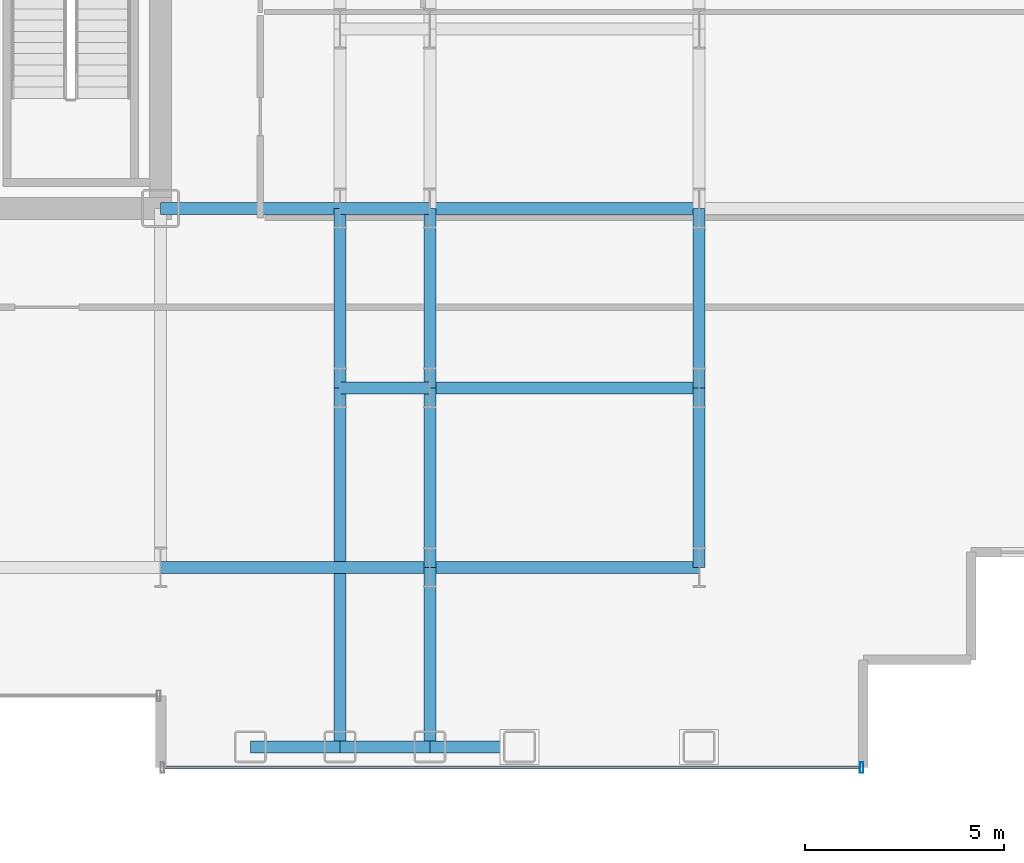
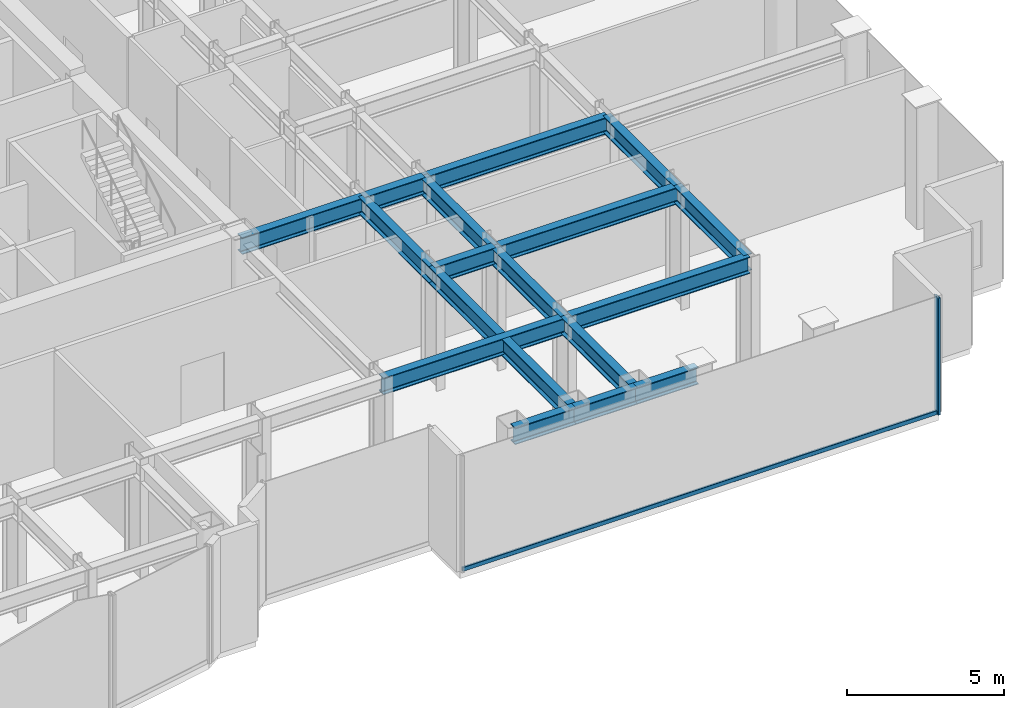
# One storey, part 7 of 27: 17 beams, 2 members, 1 element without a shape of its own.
"""IFC4 building model written with IfcOpenShell, lengths in metres."""

from ifc_helpers import new_model, si_unit, direction, frame, origin, origin_2d, place, context, subcontext, project, spatial, hollow_rectangle, i_section, extrude, source, transform, mapped, material, layer, layer_set, material_profile, profile_set, type_object, element, aggregate, save


model = new_model("IFC4")

# Units and contexts
model_context = context("Model", 3, precision=1e-05, world=origin(), true_north=direction((0.0, 1.0)))
body_context = subcontext(model_context, "Body", "Model", "MODEL_VIEW")
ifc_project = project(units=[si_unit("LENGTHUNIT", "METRE"), si_unit("AREAUNIT", "SQUARE_METRE"), si_unit("VOLUMEUNIT", "CUBIC_METRE"), si_unit("PLANEANGLEUNIT", "RADIAN"), si_unit("MASSUNIT", "GRAM", prefix="KILO")], contexts=[model_context])

# Site, building, storey
site_placement = place(None, origin())
site = spatial("IfcSite", under=ifc_project, at=site_placement, CompositionType="ELEMENT")
building_placement = place(site_placement, origin())
building = spatial("IfcBuilding", under=site, at=building_placement, Name="Nefas-Gora Pilgrimage Tower", CompositionType="ELEMENT")
storey_placement = place(building_placement, frame((0.0, 0.0, 144.0)))
storey = spatial("IfcBuildingStorey", under=building, at=storey_placement, Name="L35", CompositionType="ELEMENT", Elevation=144.0)

# Beams
ifc_material_1 = material(Name="Steel S355", Category="steel")
ifc_material_profile_1 = material_profile(ifc_material_1, i_section(OverallWidth=0.300048828125, OverallDepth=0.64990234375, WebThickness=0.01611328125, FlangeThickness=0.031005859375, FilletRadius=0.027099609375, at=origin_2d()), Name="HEB 650")
ifc_profile_set_1 = profile_set([ifc_material_profile_1], Name="Steel S355")
beam_type_1 = type_object("IfcBeamType", Name="BM-GIR-HEB650", PredefinedType="BEAM", material=ifc_profile_set_1)
shared_shape_1 = source(origin(), body_context, "Body", "SweptSolid", [
    extrude(i_section(OverallWidth=0.300048828125, OverallDepth=0.64990234375, WebThickness=0.01611328125, FlangeThickness=0.031005859375, FilletRadius=0.027099609375, at=origin_2d()), origin(), (0.0, 0.0, 1.0), 9.0),
])
beam_placement = place(storey_placement, frame((15.75, -22.5, 4.22509765625), z_axis=(0.0, 1.0, 0.0), x_axis=(-1.0, 0.0, 0.0)))
element("IfcBeam", 1, at=beam_placement, inside=storey, type_object=beam_type_1, Name="L35 G-03 beam", PredefinedType="BEAM", context=body_context, shape_type="MappedRepresentation", body=[
    mapped(shared_shape_1, transform((0.0, 0.0, 0.0), x_axis=(1.0, 0.0, 0.0), y_axis=(0.0, 1.0, 0.0), z_axis=(0.0, 0.0, 1.0), scale=1.0)),
])
shared_shape_2 = source(origin(), body_context, "Body", "SweptSolid", [
    extrude(i_section(OverallWidth=0.300048828125, OverallDepth=0.64990234375, WebThickness=0.01611328125, FlangeThickness=0.031005859375, FilletRadius=0.027099609375, at=origin_2d()), origin(), (0.0, 0.0, 1.0), 4.5),
])
for number, where, z_axis, x_axis, name in (
    (2, (11.25, -9.0, 4.22509765625), (1.0, 0.0, 0.0), (0.0, 1.0, 0.0), "L35 G-03 beam"),
    (3, (15.75, -13.5, 4.22509765625), (0.0, 1.0, 0.0), (-1.0, 0.0, 0.0), "L35 G-03 beam"),
    (4, (18.0, -22.5, 4.22509765625), (0.0, 1.0, 0.0), (-1.0, 0.0, 0.0), "L35 G-03 beam"),
    (5, (18.0, -18.0, 4.22509765625), (0.0, 1.0, 0.0), (-1.0, 0.0, 0.0), "L35 G-03 beam"),
    (6, (18.0, -13.5, 4.22509765625), (0.0, 1.0, 0.0), (-1.0, 0.0, 0.0), "L35 G-03 beam"),
    (7, (24.75, -18.0, 4.22509765625), (0.0, 1.0, 0.0), (-1.0, 0.0, 0.0), "L35 G-03 beam"),
    (8, (24.75, -13.5, 4.22509765625), (0.0, 1.0, 0.0), (-1.0, 0.0, 0.0), "L35 G-03 beam"),
):
    element("IfcBeam", number, at=place(storey_placement, frame(where, z_axis=z_axis, x_axis=x_axis)), inside=storey, type_object=beam_type_1, Name=name, PredefinedType="BEAM", context=body_context, shape_type="MappedRepresentation", body=[
        mapped(shared_shape_2, transform((0.0, 0.0, 0.0), x_axis=(1.0, 0.0, 0.0), y_axis=(0.0, 1.0, 0.0), z_axis=(0.0, 0.0, 1.0), scale=1.0)),
    ])
shared_shape_3 = source(origin(), body_context, "Body", "SweptSolid", [
    extrude(i_section(OverallWidth=0.300048828125, OverallDepth=0.64990234375, WebThickness=0.01611328125, FlangeThickness=0.031005859375, FilletRadius=0.027099609375, at=origin_2d()), origin(), (0.0, 0.0, 1.0), 6.75),
])
for number, where, z_axis, x_axis, name in (
    (9, (11.25, -18.0, 4.22509765625), (1.0, 0.0, 0.0), (0.0, 1.0, 0.0), "L35 G-03 beam"),
    (10, (18.0, -18.0, 4.22509765625), (1.0, 0.0, 0.0), (0.0, 1.0, 0.0), "L35 G-03 beam"),
    (11, (18.0, -13.5, 4.22509765625), (1.0, 0.0, 0.0), (0.0, 1.0, 0.0), "L35 G-03 beam"),
    (12, (18.0, -9.0, 4.22509765625), (1.0, 0.0, 0.0), (0.0, 1.0, 0.0), "L35 G-03 beam"),
):
    element("IfcBeam", number, at=place(storey_placement, frame(where, z_axis=z_axis, x_axis=x_axis)), inside=storey, type_object=beam_type_1, Name=name, PredefinedType="BEAM", context=body_context, shape_type="MappedRepresentation", body=[
        mapped(shared_shape_3, transform((0.0, 0.0, 0.0), x_axis=(1.0, 0.0, 0.0), y_axis=(0.0, 1.0, 0.0), z_axis=(0.0, 0.0, 1.0), scale=1.0)),
    ])
ifc_material_profile_2 = material_profile(ifc_material_1, i_section(OverallWidth=0.300048828125, OverallDepth=0.64990234375, WebThickness=0.01611328125, FlangeThickness=0.031005859375, FilletRadius=0.027099609375, at=origin_2d()), Name="HEB 650")
ifc_profile_set_2 = profile_set([ifc_material_profile_2], Name="Steel S355")
beam_type_2 = type_object("IfcBeamType", Name="BM-SPN-HEB500", PredefinedType="SPANDREL", material=ifc_profile_set_2)
shared_shape_4 = source(origin(), body_context, "Body", "SweptSolid", [
    extrude(i_section(OverallWidth=0.300048828125, OverallDepth=0.64990234375, WebThickness=0.01611328125, FlangeThickness=0.031005859375, FilletRadius=0.027099609375, at=origin_2d()), origin(), (0.0, 0.0, 1.0), 2.25),
])
for number, where, z_axis, x_axis, name in (
    (13, (13.5, -22.5, 4.22509765625), (1.0, 0.0, 0.0), (0.0, 1.0, 0.0), "L35 SP-02 beam"),
    (14, (15.75, -22.5, 4.22509765625), (1.0, 0.0, 0.0), (0.0, 1.0, 0.0), "L35 SP-02 beam"),
    (15, (18.0, -22.5, 4.22509765625), (1.0, 0.0, 0.0), (0.0, 1.0, 0.0), "L35 SP-02 beam"),
):
    element("IfcBeam", number, at=place(storey_placement, frame(where, z_axis=z_axis, x_axis=x_axis)), inside=storey, type_object=beam_type_2, Name=name, PredefinedType="SPANDREL", context=body_context, shape_type="MappedRepresentation", body=[
        mapped(shared_shape_4, transform((0.0, 0.0, 0.0), x_axis=(1.0, 0.0, 0.0), y_axis=(0.0, 1.0, 0.0), z_axis=(0.0, 0.0, 1.0), scale=1.0)),
    ])
shared_shape_5 = source(origin(), body_context, "Body", "SweptSolid", [
    extrude(i_section(OverallWidth=0.300048828125, OverallDepth=0.64990234375, WebThickness=0.01611328125, FlangeThickness=0.031005859375, FilletRadius=0.027099609375, at=origin_2d()), origin(), (0.0, 0.0, 1.0), 2.25),
])
for number, where, z_axis, x_axis, name in (
    (16, (15.75, -13.5, 4.22509765625), (1.0, 0.0, 0.0), (0.0, 1.0, 0.0), "L35 G-03 beam"),
    (17, (15.75, -9.0, 4.22509765625), (1.0, 0.0, 0.0), (0.0, 1.0, 0.0), "L35 G-03 beam"),
):
    element("IfcBeam", number, at=place(storey_placement, frame(where, z_axis=z_axis, x_axis=x_axis)), inside=storey, type_object=beam_type_1, Name=name, PredefinedType="BEAM", context=body_context, shape_type="MappedRepresentation", body=[
        mapped(shared_shape_5, transform((0.0, 0.0, 0.0), x_axis=(1.0, 0.0, 0.0), y_axis=(0.0, 1.0, 0.0), z_axis=(0.0, 0.0, 1.0), scale=1.0)),
    ])

# Curtain wall, members
ifc_material_2 = material(Name="Dark ceramic-fritted solar-control aluminium-glass curtain wall", Category="aluminium")
ifc_layer = layer(ifc_material_2, 0.219970703125)
ifc_layer_set = layer_set([ifc_layer], Name="Dark ceramic-fritted solar-control aluminium-glass curtain wall")
curtain_wall_type = type_object("IfcCurtainWallType", Name="CW-SYS-2", PredefinedType="NOTDEFINED", material=ifc_layer_set)
curtain_wall_placement = place(storey_placement, origin())
curtain_wall = element("IfcCurtainWall", 18, at=curtain_wall_placement, inside=storey, type_object=curtain_wall_type, Name="L35 Unitised Curtain Wall CW2", PredefinedType="NOTDEFINED")
ifc_material_3 = material(Name="Anodised architectural aluminium", Category="aluminium")
ifc_material_profile_3 = material_profile(ifc_material_3, hollow_rectangle(XDim=0.080078125, YDim=0.159912109375, WallThickness=0.00439453125, InnerFilletRadius=0.00439453125, OuterFilletRadius=0.009033203125, at=origin_2d()), Name="ALU TRANSOM 80x160")
ifc_profile_set_3 = profile_set([ifc_material_profile_3], Name="Anodised architectural aluminium")
member_type_1 = type_object("IfcMemberType", Name="CWM-TRN-2", PredefinedType="USERDEFINED", material=ifc_profile_set_3)
shared_shape_6 = source(origin(), body_context, "Body", "SweptSolid", [
    extrude(hollow_rectangle(XDim=0.080078125, YDim=0.159912109375, WallThickness=0.00439453125, InnerFilletRadius=0.00439453125, OuterFilletRadius=0.009033203125, at=origin_2d()), origin(), (0.0, 0.0, 1.0), 17.43994140625),
])
member_1_placement = place(storey_placement, frame((11.340087890625, -23.02001953125, 0.050048828125), z_axis=(1.0, 0.0, 0.0), x_axis=(0.0, 1.0, 0.0)))
member_1 = element("IfcMember", 19, at=member_1_placement, type_object=member_type_1, Name="CW2 Spandrel Transom", ObjectType="TRANSOM", PredefinedType="USERDEFINED", context=body_context, shape_type="MappedRepresentation", body=[
    mapped(shared_shape_6, transform((0.0, 0.0, 0.0), x_axis=(1.0, 0.0, 0.0), y_axis=(0.0, 1.0, 0.0), z_axis=(0.0, 0.0, 1.0), scale=1.0)),
])
ifc_material_profile_4 = material_profile(ifc_material_3, hollow_rectangle(XDim=0.090087890625, YDim=0.260009765625, WallThickness=0.006103515625, InnerFilletRadius=0.006103515625, OuterFilletRadius=0.011962890625, at=origin_2d()), Name="ALU MULLION 90x260")
ifc_profile_set_4 = profile_set([ifc_material_profile_4], Name="Anodised architectural aluminium")
member_type_2 = type_object("IfcMemberType", Name="CWM-MUL-2", PredefinedType="MULLION", material=ifc_profile_set_4)
shared_shape_7 = source(origin(), body_context, "Body", "SweptSolid", [
    extrude(hollow_rectangle(XDim=0.090087890625, YDim=0.260009765625, WallThickness=0.006103515625, InnerFilletRadius=0.006103515625, OuterFilletRadius=0.011962890625, at=origin_2d()), origin(), (0.0, 0.0, 1.0), 4.550048828125),
])
member_2_placement = place(storey_placement, frame((28.824951171875, -23.02001953125, 0.0), z_axis=(0.0, 0.0, 1.0), x_axis=(1.0, 0.0, 0.0)))
member_2 = element("IfcMember", 20, at=member_2_placement, type_object=member_type_2, Name="CW2 Mullion 2", PredefinedType="MULLION", context=body_context, shape_type="MappedRepresentation", body=[
    mapped(shared_shape_7, transform((0.0, 0.0, 0.0), x_axis=(1.0, 0.0, 0.0), y_axis=(0.0, 1.0, 0.0), z_axis=(0.0, 0.0, 1.0), scale=1.0)),
])
aggregate(curtain_wall, [member_2, member_1])

save(model, "model.ifc")
